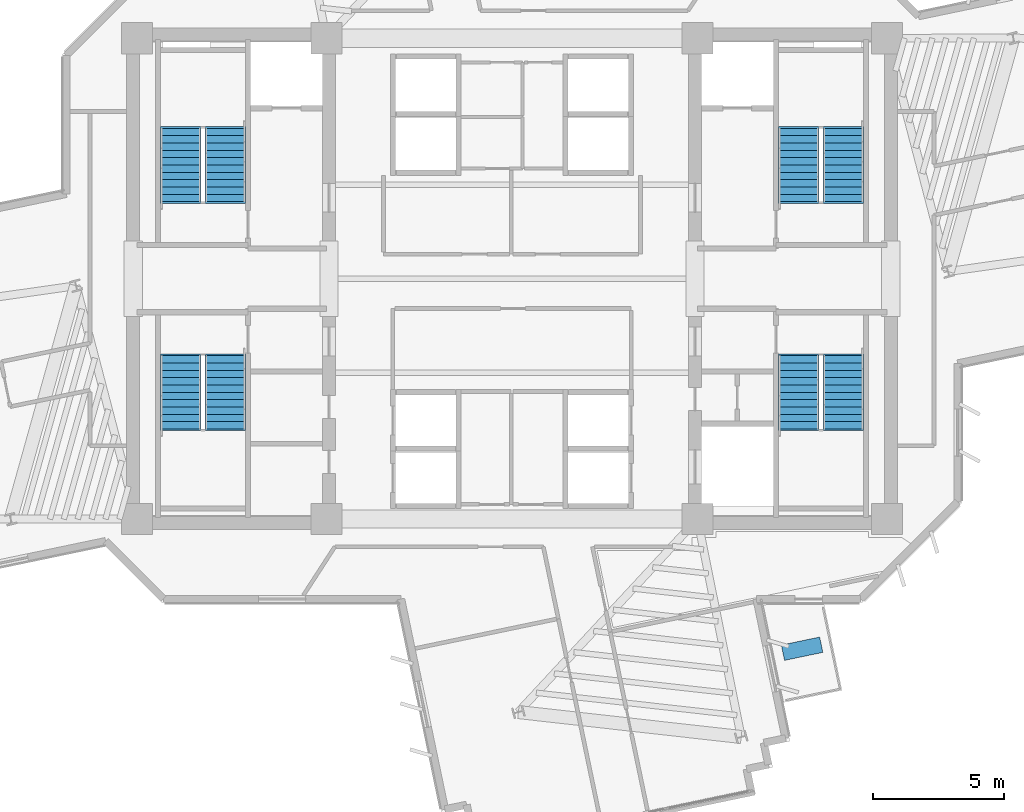
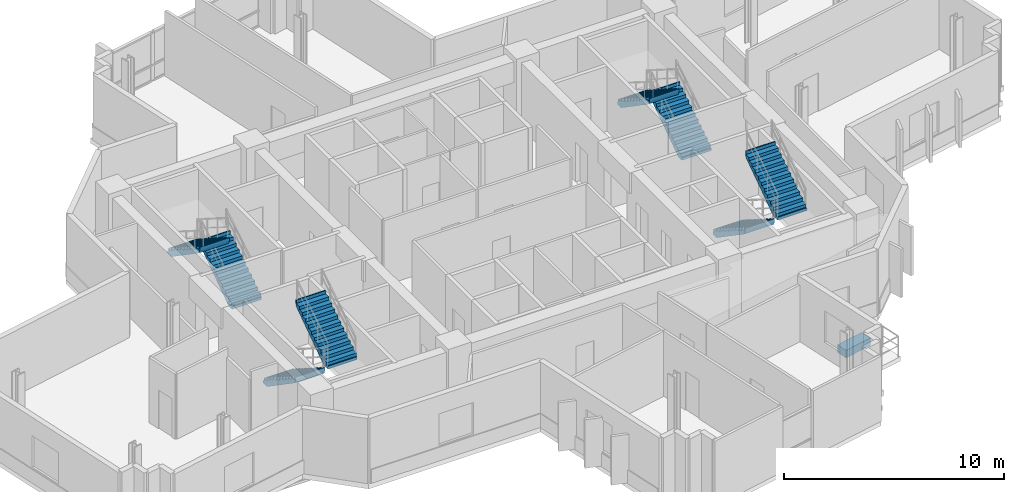
# One storey, part 11 of 14: 8 stair flights, 1 discrete accessory, 4 elements without a shape of their own.
"""IFC4 building model written with IfcOpenShell, lengths in metres."""

from ifc_helpers import new_model, si_unit, direction, frame, origin, origin_2d, place, context, subcontext, project, spatial, polyline, rectangle, outline, extrude, source, transform, mapped, material, type_object, element, aggregate, save


model = new_model("IFC4")

# Units and contexts
model_context = context("Model", 3, precision=1e-05, world=origin(), true_north=direction((0.0, 1.0)))
body_context = subcontext(model_context, "Body", "Model", "MODEL_VIEW")
ifc_project = project(units=[si_unit("LENGTHUNIT", "METRE"), si_unit("AREAUNIT", "SQUARE_METRE"), si_unit("VOLUMEUNIT", "CUBIC_METRE"), si_unit("PLANEANGLEUNIT", "RADIAN"), si_unit("MASSUNIT", "GRAM", prefix="KILO")], contexts=[model_context])

# Site, building, storey
site_placement = place(None, origin())
site = spatial("IfcSite", under=ifc_project, at=site_placement, CompositionType="ELEMENT")
building_placement = place(site_placement, origin())
building = spatial("IfcBuilding", under=site, at=building_placement, Name="Zahravan Cultural Tower", CompositionType="ELEMENT")
storey_placement = place(building_placement, frame((0.0, 0.0, 166.800048828125)))
storey = spatial("IfcBuildingStorey", under=building, at=storey_placement, Name="L38", CompositionType="ELEMENT", Elevation=166.800048828125)

# Stair, stair flights
ifc_material_1 = material(Name="Concrete C45/55", Category="concrete")
stair_type = type_object("IfcStairType", Name="STR-DL-1550-390", PredefinedType="HALF_TURN_STAIR", material=ifc_material_1)
stair_1_placement = place(storey_placement, origin())
stair_1 = element("IfcStair", 1, at=stair_1_placement, inside=storey, type_object=stair_type, Name="L38 West Core North Exit Stair ST-W1", PredefinedType="HALF_TURN_STAIR")
stair_flight_type = type_object("IfcStairFlightType", Name="FLG-DL-1550-390", PredefinedType="STRAIGHT", material=ifc_material_1)
stair_flight_1_placement = place(storey_placement, frame((25.02490234375, 29.949951171875, 0.0), z_axis=(0.0, 0.0, 1.0), x_axis=(0.0, 1.0, 0.0)))
stair_flight_1 = element("IfcStairFlight", 2, at=stair_flight_1_placement, type_object=stair_flight_type, Name="ST-W1 flight 1", NumberOfRisers=11, NumberOfTreads=10, PredefinedType="STRAIGHT", RiserHeight=0.177272727, TreadLength=0.28, context=body_context, shape_type="SweptSolid", body=[
    extrude(outline(polyline([(-0.06494140625, -0.139892578125), (-0.06494140625, 0.0), (0.0, 0.0), (0.0, 0.17724609375), (0.280029296875, 0.17724609375), (0.280029296875, 0.3544921875), (0.56005859375, 0.3544921875), (0.56005859375, 0.53173828125), (0.840087890625, 0.53173828125), (0.840087890625, 0.708984375), (1.1201171875, 0.708984375), (1.1201171875, 0.886474609375), (1.39990234375, 0.886474609375), (1.39990234375, 1.063720703125), (1.679931640625, 1.063720703125), (1.679931640625, 1.240966796875), (1.9599609375, 1.240966796875), (1.9599609375, 1.418212890625), (2.239990234375, 1.418212890625), (2.239990234375, 1.595458984375), (2.52001953125, 1.595458984375), (2.52001953125, 1.772705078125), (2.800048828125, 1.772705078125), (2.800048828125, 1.949951171875), (2.864990234375, 1.949951171875), (2.864990234375, 1.800048828125), (2.800048828125, 1.59521484375), (0.2802734375, -0.139892578125), (-0.06494140625, -0.139892578125)])), frame((0.0, 0.77490234375, 0.0), z_axis=(0.0, -1.0, 0.0), x_axis=(1.0, 0.0, 0.0)), (0.0, 0.0, 1.0), 1.550048828125),
])
stair_flight_2_placement = place(storey_placement, frame((23.324951171875, 32.75, 1.949951171875), z_axis=(0.0, 0.0, 1.0), x_axis=(0.0, -1.0, 0.0)))
stair_flight_2 = element("IfcStairFlight", 3, at=stair_flight_2_placement, type_object=stair_flight_type, Name="ST-W1 flight 2", NumberOfRisers=11, NumberOfTreads=10, PredefinedType="STRAIGHT", RiserHeight=0.177272727, TreadLength=0.28, context=body_context, shape_type="SweptSolid", body=[
    extrude(outline(polyline([(-0.06494140625, -0.139892578125), (-0.06494140625, 0.0), (0.0, 0.0), (0.0, 0.17724609375), (0.280029296875, 0.17724609375), (0.280029296875, 0.3544921875), (0.56005859375, 0.3544921875), (0.56005859375, 0.53173828125), (0.840087890625, 0.53173828125), (0.840087890625, 0.708984375), (1.1201171875, 0.708984375), (1.1201171875, 0.886474609375), (1.39990234375, 0.886474609375), (1.39990234375, 1.063720703125), (1.679931640625, 1.063720703125), (1.679931640625, 1.240966796875), (1.9599609375, 1.240966796875), (1.9599609375, 1.418212890625), (2.239990234375, 1.418212890625), (2.239990234375, 1.595458984375), (2.52001953125, 1.595458984375), (2.52001953125, 1.772705078125), (2.800048828125, 1.772705078125), (2.800048828125, 1.949951171875), (2.864990234375, 1.949951171875), (2.864990234375, 1.800048828125), (2.800048828125, 1.59521484375), (0.2802734375, -0.139892578125), (-0.06494140625, -0.139892578125)])), frame((0.0, 0.77490234375, 0.0), z_axis=(0.0, -1.0, 0.0), x_axis=(1.0, 0.0, 0.0)), (0.0, 0.0, 1.0), 1.550048828125),
])
aggregate(stair_1, [stair_flight_1, stair_flight_2])

stair_2_placement = place(storey_placement, origin())
stair_2 = element("IfcStair", 4, at=stair_2_placement, inside=storey, type_object=stair_type, Name="L38 West Core South Exit Stair ST-W2", PredefinedType="HALF_TURN_STAIR")
stair_flight_3_placement = place(storey_placement, frame((23.324951171875, 24.050048828125, 0.0), z_axis=(0.0, 0.0, 1.0), x_axis=(0.0, -1.0, 0.0)))
stair_flight_3 = element("IfcStairFlight", 5, at=stair_flight_3_placement, type_object=stair_flight_type, Name="ST-W2 flight 1", NumberOfRisers=11, NumberOfTreads=10, PredefinedType="STRAIGHT", RiserHeight=0.177272727, TreadLength=0.28, context=body_context, shape_type="SweptSolid", body=[
    extrude(outline(polyline([(-0.06494140625, -0.139892578125), (-0.06494140625, 0.0), (0.0, 0.0), (0.0, 0.17724609375), (0.280029296875, 0.17724609375), (0.280029296875, 0.3544921875), (0.56005859375, 0.3544921875), (0.56005859375, 0.53173828125), (0.840087890625, 0.53173828125), (0.840087890625, 0.708984375), (1.1201171875, 0.708984375), (1.1201171875, 0.886474609375), (1.39990234375, 0.886474609375), (1.39990234375, 1.063720703125), (1.679931640625, 1.063720703125), (1.679931640625, 1.240966796875), (1.9599609375, 1.240966796875), (1.9599609375, 1.418212890625), (2.239990234375, 1.418212890625), (2.239990234375, 1.595458984375), (2.52001953125, 1.595458984375), (2.52001953125, 1.772705078125), (2.800048828125, 1.772705078125), (2.800048828125, 1.949951171875), (2.864990234375, 1.949951171875), (2.864990234375, 1.800048828125), (2.800048828125, 1.59521484375), (0.2802734375, -0.139892578125), (-0.06494140625, -0.139892578125)])), frame((0.0, 0.77490234375, 0.0), z_axis=(0.0, -1.0, 0.0), x_axis=(1.0, 0.0, 0.0)), (0.0, 0.0, 1.0), 1.550048828125),
])
stair_flight_4_placement = place(storey_placement, frame((25.02490234375, 21.25, 1.949951171875), z_axis=(0.0, 0.0, 1.0), x_axis=(0.0, 1.0, 0.0)))
stair_flight_4 = element("IfcStairFlight", 6, at=stair_flight_4_placement, type_object=stair_flight_type, Name="ST-W2 flight 2", NumberOfRisers=11, NumberOfTreads=10, PredefinedType="STRAIGHT", RiserHeight=0.177272727, TreadLength=0.28, context=body_context, shape_type="SweptSolid", body=[
    extrude(outline(polyline([(-0.06494140625, -0.139892578125), (-0.06494140625, 0.0), (0.0, 0.0), (0.0, 0.17724609375), (0.280029296875, 0.17724609375), (0.280029296875, 0.3544921875), (0.56005859375, 0.3544921875), (0.56005859375, 0.53173828125), (0.840087890625, 0.53173828125), (0.840087890625, 0.708984375), (1.1201171875, 0.708984375), (1.1201171875, 0.886474609375), (1.39990234375, 0.886474609375), (1.39990234375, 1.063720703125), (1.679931640625, 1.063720703125), (1.679931640625, 1.240966796875), (1.9599609375, 1.240966796875), (1.9599609375, 1.418212890625), (2.239990234375, 1.418212890625), (2.239990234375, 1.595458984375), (2.52001953125, 1.595458984375), (2.52001953125, 1.772705078125), (2.800048828125, 1.772705078125), (2.800048828125, 1.949951171875), (2.864990234375, 1.949951171875), (2.864990234375, 1.800048828125), (2.800048828125, 1.59521484375), (0.2802734375, -0.139892578125), (-0.06494140625, -0.139892578125)])), frame((0.0, 0.77490234375, 0.0), z_axis=(0.0, -1.0, 0.0), x_axis=(1.0, 0.0, 0.0)), (0.0, 0.0, 1.0), 1.550048828125),
])
aggregate(stair_2, [stair_flight_3, stair_flight_4])

stair_3_placement = place(storey_placement, origin())
stair_3 = element("IfcStair", 7, at=stair_3_placement, inside=storey, type_object=stair_type, Name="L38 East Core North Exit Stair ST-E1", PredefinedType="HALF_TURN_STAIR")
stair_flight_5_placement = place(storey_placement, frame((48.675048828125, 29.949951171875, 0.0), z_axis=(0.0, 0.0, 1.0), x_axis=(0.0, 1.0, 0.0)))
stair_flight_5 = element("IfcStairFlight", 8, at=stair_flight_5_placement, type_object=stair_flight_type, Name="ST-E1 flight 1", NumberOfRisers=11, NumberOfTreads=10, PredefinedType="STRAIGHT", RiserHeight=0.177272727, TreadLength=0.28, context=body_context, shape_type="SweptSolid", body=[
    extrude(outline(polyline([(-0.06494140625, -0.139892578125), (-0.06494140625, 0.0), (0.0, 0.0), (0.0, 0.17724609375), (0.280029296875, 0.17724609375), (0.280029296875, 0.3544921875), (0.56005859375, 0.3544921875), (0.56005859375, 0.53173828125), (0.840087890625, 0.53173828125), (0.840087890625, 0.708984375), (1.1201171875, 0.708984375), (1.1201171875, 0.886474609375), (1.39990234375, 0.886474609375), (1.39990234375, 1.063720703125), (1.679931640625, 1.063720703125), (1.679931640625, 1.240966796875), (1.9599609375, 1.240966796875), (1.9599609375, 1.418212890625), (2.239990234375, 1.418212890625), (2.239990234375, 1.595458984375), (2.52001953125, 1.595458984375), (2.52001953125, 1.772705078125), (2.800048828125, 1.772705078125), (2.800048828125, 1.949951171875), (2.864990234375, 1.949951171875), (2.864990234375, 1.800048828125), (2.800048828125, 1.59521484375), (0.2802734375, -0.139892578125), (-0.06494140625, -0.139892578125)])), frame((0.0, 0.77490234375, 0.0), z_axis=(0.0, -1.0, 0.0), x_axis=(1.0, 0.0, 0.0)), (0.0, 0.0, 1.0), 1.550048828125),
])
stair_flight_6_placement = place(storey_placement, frame((46.97509765625, 32.75, 1.949951171875), z_axis=(0.0, 0.0, 1.0), x_axis=(0.0, -1.0, 0.0)))
stair_flight_6 = element("IfcStairFlight", 9, at=stair_flight_6_placement, type_object=stair_flight_type, Name="ST-E1 flight 2", NumberOfRisers=11, NumberOfTreads=10, PredefinedType="STRAIGHT", RiserHeight=0.177272727, TreadLength=0.28, context=body_context, shape_type="SweptSolid", body=[
    extrude(outline(polyline([(-0.06494140625, -0.139892578125), (-0.06494140625, 0.0), (0.0, 0.0), (0.0, 0.17724609375), (0.280029296875, 0.17724609375), (0.280029296875, 0.3544921875), (0.56005859375, 0.3544921875), (0.56005859375, 0.53173828125), (0.840087890625, 0.53173828125), (0.840087890625, 0.708984375), (1.1201171875, 0.708984375), (1.1201171875, 0.886474609375), (1.39990234375, 0.886474609375), (1.39990234375, 1.063720703125), (1.679931640625, 1.063720703125), (1.679931640625, 1.240966796875), (1.9599609375, 1.240966796875), (1.9599609375, 1.418212890625), (2.239990234375, 1.418212890625), (2.239990234375, 1.595458984375), (2.52001953125, 1.595458984375), (2.52001953125, 1.772705078125), (2.800048828125, 1.772705078125), (2.800048828125, 1.949951171875), (2.864990234375, 1.949951171875), (2.864990234375, 1.800048828125), (2.800048828125, 1.59521484375), (0.2802734375, -0.139892578125), (-0.06494140625, -0.139892578125)])), frame((0.0, 0.77490234375, 0.0), z_axis=(0.0, -1.0, 0.0), x_axis=(1.0, 0.0, 0.0)), (0.0, 0.0, 1.0), 1.550048828125),
])
aggregate(stair_3, [stair_flight_5, stair_flight_6])

stair_4_placement = place(storey_placement, origin())
stair_4 = element("IfcStair", 10, at=stair_4_placement, inside=storey, type_object=stair_type, Name="L38 East Core South Exit Stair ST-E2", PredefinedType="HALF_TURN_STAIR")
stair_flight_7_placement = place(storey_placement, frame((46.97509765625, 24.050048828125, 0.0), z_axis=(0.0, 0.0, 1.0), x_axis=(0.0, -1.0, 0.0)))
stair_flight_7 = element("IfcStairFlight", 11, at=stair_flight_7_placement, type_object=stair_flight_type, Name="ST-E2 flight 1", NumberOfRisers=11, NumberOfTreads=10, PredefinedType="STRAIGHT", RiserHeight=0.177272727, TreadLength=0.28, context=body_context, shape_type="SweptSolid", body=[
    extrude(outline(polyline([(-0.06494140625, -0.139892578125), (-0.06494140625, 0.0), (0.0, 0.0), (0.0, 0.17724609375), (0.280029296875, 0.17724609375), (0.280029296875, 0.3544921875), (0.56005859375, 0.3544921875), (0.56005859375, 0.53173828125), (0.840087890625, 0.53173828125), (0.840087890625, 0.708984375), (1.1201171875, 0.708984375), (1.1201171875, 0.886474609375), (1.39990234375, 0.886474609375), (1.39990234375, 1.063720703125), (1.679931640625, 1.063720703125), (1.679931640625, 1.240966796875), (1.9599609375, 1.240966796875), (1.9599609375, 1.418212890625), (2.239990234375, 1.418212890625), (2.239990234375, 1.595458984375), (2.52001953125, 1.595458984375), (2.52001953125, 1.772705078125), (2.800048828125, 1.772705078125), (2.800048828125, 1.949951171875), (2.864990234375, 1.949951171875), (2.864990234375, 1.800048828125), (2.800048828125, 1.59521484375), (0.2802734375, -0.139892578125), (-0.06494140625, -0.139892578125)])), frame((0.0, 0.77490234375, 0.0), z_axis=(0.0, -1.0, 0.0), x_axis=(1.0, 0.0, 0.0)), (0.0, 0.0, 1.0), 1.550048828125),
])
stair_flight_8_placement = place(storey_placement, frame((48.675048828125, 21.25, 1.949951171875), z_axis=(0.0, 0.0, 1.0), x_axis=(0.0, 1.0, 0.0)))
stair_flight_8 = element("IfcStairFlight", 12, at=stair_flight_8_placement, type_object=stair_flight_type, Name="ST-E2 flight 2", NumberOfRisers=11, NumberOfTreads=10, PredefinedType="STRAIGHT", RiserHeight=0.177272727, TreadLength=0.28, context=body_context, shape_type="SweptSolid", body=[
    extrude(outline(polyline([(-0.06494140625, -0.139892578125), (-0.06494140625, 0.0), (0.0, 0.0), (0.0, 0.17724609375), (0.280029296875, 0.17724609375), (0.280029296875, 0.3544921875), (0.56005859375, 0.3544921875), (0.56005859375, 0.53173828125), (0.840087890625, 0.53173828125), (0.840087890625, 0.708984375), (1.1201171875, 0.708984375), (1.1201171875, 0.886474609375), (1.39990234375, 0.886474609375), (1.39990234375, 1.063720703125), (1.679931640625, 1.063720703125), (1.679931640625, 1.240966796875), (1.9599609375, 1.240966796875), (1.9599609375, 1.418212890625), (2.239990234375, 1.418212890625), (2.239990234375, 1.595458984375), (2.52001953125, 1.595458984375), (2.52001953125, 1.772705078125), (2.800048828125, 1.772705078125), (2.800048828125, 1.949951171875), (2.864990234375, 1.949951171875), (2.864990234375, 1.800048828125), (2.800048828125, 1.59521484375), (0.2802734375, -0.139892578125), (-0.06494140625, -0.139892578125)])), frame((0.0, 0.77490234375, 0.0), z_axis=(0.0, -1.0, 0.0), x_axis=(1.0, 0.0, 0.0)), (0.0, 0.0, 1.0), 1.550048828125),
])
aggregate(stair_4, [stair_flight_7, stair_flight_8])

# Discrete accessory
ifc_material_2 = material(Name="Planted soil and terracotta planter", Category="masonry")
discrete_accessory_type = type_object("IfcDiscreteAccessoryType", Name="ACC-PLANTER-TC", PredefinedType="USERDEFINED", material=ifc_material_2)
shared_shape = source(origin(), body_context, "Body", "SweptSolid", [
    extrude(rectangle(XDim=1.5, YDim=0.60009765625, at=origin_2d()), origin(), (0.0, 0.0, 1.0), 0.419921875),
])
discrete_accessory_placement = place(storey_placement, frame((47.102783203125, 12.836669921875, 0.0), z_axis=(0.0, 0.0, 1.0), x_axis=(0.978938711712, 0.204154350213, 0.0)))
element("IfcDiscreteAccessory", 13, at=discrete_accessory_placement, inside=storey, type_object=discrete_accessory_type, Name="L38 Terracotta Sculpture Planter SE", ObjectType="PLANTER", PredefinedType="USERDEFINED", context=body_context, shape_type="MappedRepresentation", body=[
    mapped(shared_shape, transform((0.0, 0.0, 0.0), x_axis=(1.0, 0.0, 0.0), y_axis=(0.0, 1.0, 0.0), z_axis=(0.0, 0.0, 1.0), scale=1.0)),
])

save(model, "model.ifc")
